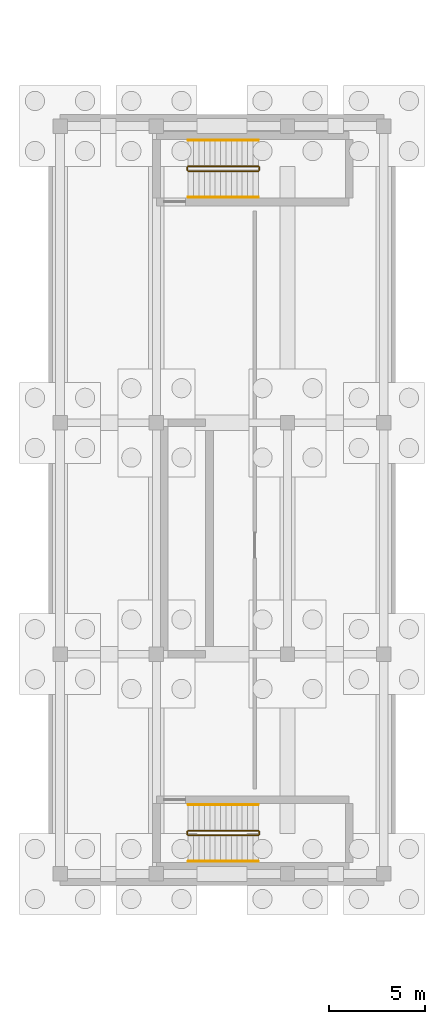
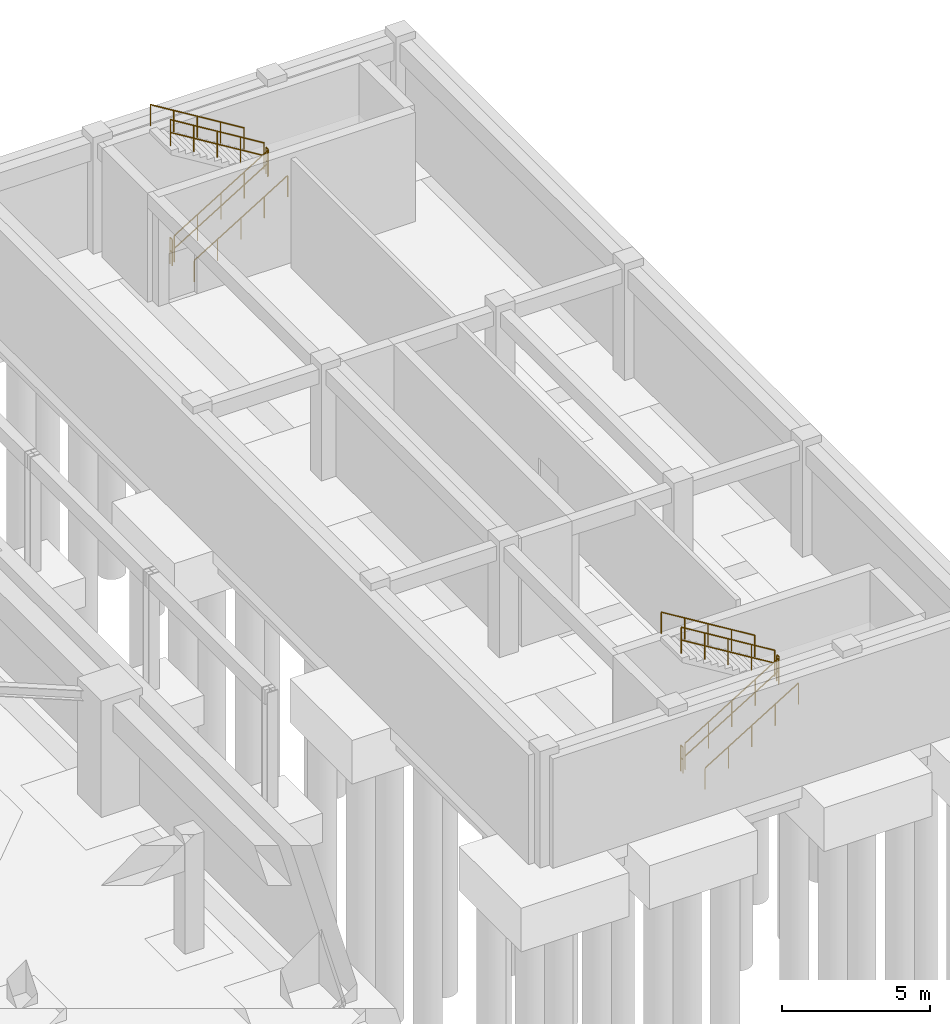
# One storey, part 10 of 11: 12 railings.
"""IFC4 building model written with IfcOpenShell, lengths in metres."""

from ifc_helpers import new_model, si_unit, direction, frame, origin, origin_2d, place, context, subcontext, project, spatial, circle, extrude, material, type_object, element, save


model = new_model("IFC4")

# Units and contexts
model_context = context("Model", 3, precision=1e-05, world=origin(), true_north=direction((0.0, 1.0)))
body_context = subcontext(model_context, "Body", "Model", "MODEL_VIEW")
ifc_project = project(units=[si_unit("LENGTHUNIT", "METRE"), si_unit("AREAUNIT", "SQUARE_METRE"), si_unit("VOLUMEUNIT", "CUBIC_METRE"), si_unit("PLANEANGLEUNIT", "RADIAN"), si_unit("MASSUNIT", "GRAM", prefix="KILO")], contexts=[model_context])

# Site, building, storey
site_placement = place(None, origin())
site = spatial("IfcSite", under=ifc_project, at=site_placement, CompositionType="ELEMENT")
building_placement = place(site_placement, origin())
building = spatial("IfcBuilding", under=site, at=building_placement, Name="Veraguas Prism Commons", CompositionType="ELEMENT")
storey_placement = place(building_placement, frame((0.0, 0.0, -10.0)))
storey = spatial("IfcBuildingStorey", under=building, at=storey_placement, Name="B2", CompositionType="ELEMENT", Elevation=-10.0)

# Railings
ifc_material = material(Name="Stainless steel AISI 316", Category="steel")
railing_type_1 = type_object("IfcRailingType", Name="Stair and Ramp Stainless Handrail 900", PredefinedType="HANDRAIL", material=ifc_material)
railing_1_placement = place(storey_placement, frame((64.25, 5.25, 0.17138671875)))
element("IfcRailing", 1, at=railing_1_placement, inside=storey, type_object=railing_type_1, Name="Stair Handrail ST-H1 B2-1", PredefinedType="HANDRAIL", context=body_context, shape_type="SweptSolid", body=[
    extrude(circle(Radius=0.02392578125, at=origin_2d()), frame((0.0, 0.0, 0.8759765625), z_axis=(0.852850264322, 0.0, 0.5221555579), x_axis=(0.0, 1.0, 0.0)), (0.0, 0.0, 1.0), 4.267822265625),
    extrude(circle(Radius=0.02099609375, at=origin_2d()), origin(), (0.0, 0.0, 1.0), 0.851806640625),
    extrude(circle(Radius=0.02099609375, at=origin_2d()), frame((0.909912109375, 0.0, 0.55712890625)), (0.0, 0.0, 1.0), 0.851806640625),
    extrude(circle(Radius=0.02099609375, at=origin_2d()), frame((1.81982421875, 0.0, 1.1142578125)), (0.0, 0.0, 1.0), 0.851806640625),
    extrude(circle(Radius=0.02099609375, at=origin_2d()), frame((2.72998046875, 0.0, 1.67138671875)), (0.0, 0.0, 1.0), 0.851806640625),
    extrude(circle(Radius=0.02099609375, at=origin_2d()), frame((3.639892578125, 0.0, 2.228515625)), (0.0, 0.0, 1.0), 0.851806640625),
])
railing_2_placement = place(storey_placement, frame((67.889892578125, 8.199951171875, 2.571533203125)))
element("IfcRailing", 2, at=railing_2_placement, inside=storey, type_object=railing_type_1, Name="Stair Handrail ST-H1 B2-2", PredefinedType="HANDRAIL", context=body_context, shape_type="SweptSolid", body=[
    extrude(circle(Radius=0.02392578125, at=origin_2d()), frame((0.0, 0.0, 0.8759765625), z_axis=(-0.852850264322, 0.0, 0.5221555579), x_axis=(0.0, -1.0, 0.0)), (0.0, 0.0, 1.0), 4.267822265625),
    extrude(circle(Radius=0.02099609375, at=origin_2d()), origin(), (0.0, 0.0, 1.0), 0.851806640625),
    extrude(circle(Radius=0.02099609375, at=origin_2d()), frame((-0.909912109375, 0.0, 0.55712890625)), (0.0, 0.0, 1.0), 0.851806640625),
    extrude(circle(Radius=0.02099609375, at=origin_2d()), frame((-1.81982421875, 0.0, 1.1142578125)), (0.0, 0.0, 1.0), 0.851806640625),
    extrude(circle(Radius=0.02099609375, at=origin_2d()), frame((-2.72998046875, 0.0, 1.67138671875)), (0.0, 0.0, 1.0), 0.851806640625),
    extrude(circle(Radius=0.02099609375, at=origin_2d()), frame((-3.639892578125, 0.0, 2.228515625)), (0.0, 0.0, 1.0), 0.851806640625),
])
railing_3_placement = place(storey_placement, frame((64.25, 39.7099609375, 0.17138671875)))
element("IfcRailing", 3, at=railing_3_placement, inside=storey, type_object=railing_type_1, Name="Stair Handrail ST-H2 B2-1", PredefinedType="HANDRAIL", context=body_context, shape_type="SweptSolid", body=[
    extrude(circle(Radius=0.02392578125, at=origin_2d()), frame((0.0, 0.0, 0.8759765625), z_axis=(0.852850264322, 0.0, 0.5221555579), x_axis=(0.0, 1.0, 0.0)), (0.0, 0.0, 1.0), 4.267822265625),
    extrude(circle(Radius=0.02099609375, at=origin_2d()), origin(), (0.0, 0.0, 1.0), 0.851806640625),
    extrude(circle(Radius=0.02099609375, at=origin_2d()), frame((0.909912109375, 0.0, 0.55712890625)), (0.0, 0.0, 1.0), 0.851806640625),
    extrude(circle(Radius=0.02099609375, at=origin_2d()), frame((1.81982421875, 0.0, 1.1142578125)), (0.0, 0.0, 1.0), 0.851806640625),
    extrude(circle(Radius=0.02099609375, at=origin_2d()), frame((2.72998046875, 0.0, 1.67138671875)), (0.0, 0.0, 1.0), 0.851806640625),
    extrude(circle(Radius=0.02099609375, at=origin_2d()), frame((3.639892578125, 0.0, 2.228515625)), (0.0, 0.0, 1.0), 0.851806640625),
])
railing_4_placement = place(storey_placement, frame((67.889892578125, 42.659912109375, 2.571533203125)))
element("IfcRailing", 4, at=railing_4_placement, inside=storey, type_object=railing_type_1, Name="Stair Handrail ST-H2 B2-2", PredefinedType="HANDRAIL", context=body_context, shape_type="SweptSolid", body=[
    extrude(circle(Radius=0.02392578125, at=origin_2d()), frame((0.0, 0.0, 0.8759765625), z_axis=(-0.852850264322, 0.0, 0.5221555579), x_axis=(0.0, -1.0, 0.0)), (0.0, 0.0, 1.0), 4.267822265625),
    extrude(circle(Radius=0.02099609375, at=origin_2d()), origin(), (0.0, 0.0, 1.0), 0.851806640625),
    extrude(circle(Radius=0.02099609375, at=origin_2d()), frame((-0.909912109375, 0.0, 0.55712890625)), (0.0, 0.0, 1.0), 0.851806640625),
    extrude(circle(Radius=0.02099609375, at=origin_2d()), frame((-1.81982421875, 0.0, 1.1142578125)), (0.0, 0.0, 1.0), 0.851806640625),
    extrude(circle(Radius=0.02099609375, at=origin_2d()), frame((-2.72998046875, 0.0, 1.67138671875)), (0.0, 0.0, 1.0), 0.851806640625),
    extrude(circle(Radius=0.02099609375, at=origin_2d()), frame((-3.639892578125, 0.0, 2.228515625)), (0.0, 0.0, 1.0), 0.851806640625),
])
railing_type_2 = type_object("IfcRailingType", Name="Stairwell Safety Guardrail 1100", PredefinedType="GUARDRAIL", material=ifc_material)
railing_5_placement = place(storey_placement, frame((64.25, 6.60009765625, 0.17138671875)))
element("IfcRailing", 5, at=railing_5_placement, inside=storey, type_object=railing_type_2, Name="Stair Guard ST-H1 B2-1", PredefinedType="GUARDRAIL", context=body_context, shape_type="SweptSolid", body=[
    extrude(circle(Radius=0.02392578125, at=origin_2d()), frame((0.0, 0.0, 1.076171875), z_axis=(0.852850264322, 0.0, 0.5221555579), x_axis=(0.0, 1.0, 0.0)), (0.0, 0.0, 1.0), 4.267822265625),
    extrude(circle(Radius=0.02392578125, at=origin_2d()), frame((0.0, 0.0, 0.550048828125), z_axis=(0.852850264322, 0.0, 0.5221555579), x_axis=(0.0, 1.0, 0.0)), (0.0, 0.0, 1.0), 4.267822265625),
    extrude(circle(Radius=0.02099609375, at=origin_2d()), origin(), (0.0, 0.0, 1.0), 1.052001953125),
    extrude(circle(Radius=0.02099609375, at=origin_2d()), frame((0.909912109375, 0.0, 0.55712890625)), (0.0, 0.0, 1.0), 1.052001953125),
    extrude(circle(Radius=0.02099609375, at=origin_2d()), frame((1.81982421875, 0.0, 1.1142578125)), (0.0, 0.0, 1.0), 1.052001953125),
    extrude(circle(Radius=0.02099609375, at=origin_2d()), frame((2.72998046875, 0.0, 1.67138671875)), (0.0, 0.0, 1.0), 1.052001953125),
    extrude(circle(Radius=0.02099609375, at=origin_2d()), frame((3.639892578125, 0.0, 2.228515625)), (0.0, 0.0, 1.0), 1.052001953125),
])
railing_6_placement = place(storey_placement, frame((67.93994140625, 6.64990234375, 2.39990234375)))
element("IfcRailing", 6, at=railing_6_placement, inside=storey, type_object=railing_type_2, Name="Stair Guard ST-H1 B2-2", PredefinedType="GUARDRAIL", context=body_context, shape_type="SweptSolid", body=[
    extrude(circle(Radius=0.02392578125, at=origin_2d()), frame((0.0, 0.0, 1.076171875), z_axis=(0.0, 1.0, 0.0), x_axis=(-1.0, 0.0, 0.0)), (0.0, 0.0, 1.0), 0.150146484375),
    extrude(circle(Radius=0.02392578125, at=origin_2d()), frame((0.0, 0.0, 0.550048828125), z_axis=(0.0, 1.0, 0.0), x_axis=(-1.0, 0.0, 0.0)), (0.0, 0.0, 1.0), 0.150146484375),
    extrude(circle(Radius=0.02099609375, at=origin_2d()), origin(), (0.0, 0.0, 1.0), 1.052001953125),
    extrude(circle(Radius=0.02099609375, at=origin_2d()), frame((0.0, 0.150146484375, 0.0)), (0.0, 0.0, 1.0), 1.052001953125),
])
railing_7_placement = place(storey_placement, frame((67.889892578125, 6.85009765625, 2.571533203125)))
element("IfcRailing", 7, at=railing_7_placement, inside=storey, type_object=railing_type_2, Name="Stair Guard ST-H1 B2-3", PredefinedType="GUARDRAIL", context=body_context, shape_type="SweptSolid", body=[
    extrude(circle(Radius=0.02392578125, at=origin_2d()), frame((0.0, 0.0, 1.076171875), z_axis=(-0.852850264322, 0.0, 0.5221555579), x_axis=(0.0, -1.0, 0.0)), (0.0, 0.0, 1.0), 4.267822265625),
    extrude(circle(Radius=0.02392578125, at=origin_2d()), frame((0.0, 0.0, 0.550048828125), z_axis=(-0.852850264322, 0.0, 0.5221555579), x_axis=(0.0, -1.0, 0.0)), (0.0, 0.0, 1.0), 4.267822265625),
    extrude(circle(Radius=0.02099609375, at=origin_2d()), origin(), (0.0, 0.0, 1.0), 1.052001953125),
    extrude(circle(Radius=0.02099609375, at=origin_2d()), frame((-0.909912109375, 0.0, 0.55712890625)), (0.0, 0.0, 1.0), 1.052001953125),
    extrude(circle(Radius=0.02099609375, at=origin_2d()), frame((-1.81982421875, 0.0, 1.1142578125)), (0.0, 0.0, 1.0), 1.052001953125),
    extrude(circle(Radius=0.02099609375, at=origin_2d()), frame((-2.72998046875, 0.0, 1.67138671875)), (0.0, 0.0, 1.0), 1.052001953125),
    extrude(circle(Radius=0.02099609375, at=origin_2d()), frame((-3.639892578125, 0.0, 2.228515625)), (0.0, 0.0, 1.0), 1.052001953125),
])
railing_8_placement = place(storey_placement, frame((64.199951171875, 6.64990234375, 0.0)))
element("IfcRailing", 8, at=railing_8_placement, inside=storey, type_object=railing_type_2, Name="Stair Guard ST-H1 B2-4", PredefinedType="GUARDRAIL", context=body_context, shape_type="SweptSolid", body=[
    extrude(circle(Radius=0.02392578125, at=origin_2d()), frame((0.0, 0.0, 1.076171875), z_axis=(0.0, 1.0, 0.0), x_axis=(-1.0, 0.0, 0.0)), (0.0, 0.0, 1.0), 0.150146484375),
    extrude(circle(Radius=0.02392578125, at=origin_2d()), frame((0.0, 0.0, 0.550048828125), z_axis=(0.0, 1.0, 0.0), x_axis=(-1.0, 0.0, 0.0)), (0.0, 0.0, 1.0), 0.150146484375),
    extrude(circle(Radius=0.02099609375, at=origin_2d()), origin(), (0.0, 0.0, 1.0), 1.052001953125),
    extrude(circle(Radius=0.02099609375, at=origin_2d()), frame((0.0, 0.150146484375, 0.0)), (0.0, 0.0, 1.0), 1.052001953125),
])
railing_9_placement = place(storey_placement, frame((64.25, 41.06005859375, 0.17138671875)))
element("IfcRailing", 9, at=railing_9_placement, inside=storey, type_object=railing_type_2, Name="Stair Guard ST-H2 B2-1", PredefinedType="GUARDRAIL", context=body_context, shape_type="SweptSolid", body=[
    extrude(circle(Radius=0.02392578125, at=origin_2d()), frame((0.0, 0.0, 1.076171875), z_axis=(0.852850264322, 0.0, 0.5221555579), x_axis=(0.0, 1.0, 0.0)), (0.0, 0.0, 1.0), 4.267822265625),
    extrude(circle(Radius=0.02392578125, at=origin_2d()), frame((0.0, 0.0, 0.550048828125), z_axis=(0.852850264322, 0.0, 0.5221555579), x_axis=(0.0, 1.0, 0.0)), (0.0, 0.0, 1.0), 4.267822265625),
    extrude(circle(Radius=0.02099609375, at=origin_2d()), origin(), (0.0, 0.0, 1.0), 1.052001953125),
    extrude(circle(Radius=0.02099609375, at=origin_2d()), frame((0.909912109375, 0.0, 0.55712890625)), (0.0, 0.0, 1.0), 1.052001953125),
    extrude(circle(Radius=0.02099609375, at=origin_2d()), frame((1.81982421875, 0.0, 1.1142578125)), (0.0, 0.0, 1.0), 1.052001953125),
    extrude(circle(Radius=0.02099609375, at=origin_2d()), frame((2.72998046875, 0.0, 1.67138671875)), (0.0, 0.0, 1.0), 1.052001953125),
    extrude(circle(Radius=0.02099609375, at=origin_2d()), frame((3.639892578125, 0.0, 2.228515625)), (0.0, 0.0, 1.0), 1.052001953125),
])
railing_10_placement = place(storey_placement, frame((67.93994140625, 41.110107421875, 2.39990234375)))
element("IfcRailing", 10, at=railing_10_placement, inside=storey, type_object=railing_type_2, Name="Stair Guard ST-H2 B2-2", PredefinedType="GUARDRAIL", context=body_context, shape_type="SweptSolid", body=[
    extrude(circle(Radius=0.02392578125, at=origin_2d()), frame((0.0, 0.0, 1.076171875), z_axis=(0.0, 1.0, 0.0), x_axis=(-1.0, 0.0, 0.0)), (0.0, 0.0, 1.0), 0.14990234375),
    extrude(circle(Radius=0.02392578125, at=origin_2d()), frame((0.0, 0.0, 0.550048828125), z_axis=(0.0, 1.0, 0.0), x_axis=(-1.0, 0.0, 0.0)), (0.0, 0.0, 1.0), 0.14990234375),
    extrude(circle(Radius=0.02099609375, at=origin_2d()), origin(), (0.0, 0.0, 1.0), 1.052001953125),
    extrude(circle(Radius=0.02099609375, at=origin_2d()), frame((0.0, 0.14990234375, 0.0)), (0.0, 0.0, 1.0), 1.052001953125),
])
railing_11_placement = place(storey_placement, frame((67.889892578125, 41.31005859375, 2.571533203125)))
element("IfcRailing", 11, at=railing_11_placement, inside=storey, type_object=railing_type_2, Name="Stair Guard ST-H2 B2-3", PredefinedType="GUARDRAIL", context=body_context, shape_type="SweptSolid", body=[
    extrude(circle(Radius=0.02392578125, at=origin_2d()), frame((0.0, 0.0, 1.076171875), z_axis=(-0.852850264322, 0.0, 0.5221555579), x_axis=(0.0, -1.0, 0.0)), (0.0, 0.0, 1.0), 4.267822265625),
    extrude(circle(Radius=0.02392578125, at=origin_2d()), frame((0.0, 0.0, 0.550048828125), z_axis=(-0.852850264322, 0.0, 0.5221555579), x_axis=(0.0, -1.0, 0.0)), (0.0, 0.0, 1.0), 4.267822265625),
    extrude(circle(Radius=0.02099609375, at=origin_2d()), origin(), (0.0, 0.0, 1.0), 1.052001953125),
    extrude(circle(Radius=0.02099609375, at=origin_2d()), frame((-0.909912109375, 0.0, 0.55712890625)), (0.0, 0.0, 1.0), 1.052001953125),
    extrude(circle(Radius=0.02099609375, at=origin_2d()), frame((-1.81982421875, 0.0, 1.1142578125)), (0.0, 0.0, 1.0), 1.052001953125),
    extrude(circle(Radius=0.02099609375, at=origin_2d()), frame((-2.72998046875, 0.0, 1.67138671875)), (0.0, 0.0, 1.0), 1.052001953125),
    extrude(circle(Radius=0.02099609375, at=origin_2d()), frame((-3.639892578125, 0.0, 2.228515625)), (0.0, 0.0, 1.0), 1.052001953125),
])
railing_12_placement = place(storey_placement, frame((64.199951171875, 41.110107421875, 0.0)))
element("IfcRailing", 12, at=railing_12_placement, inside=storey, type_object=railing_type_2, Name="Stair Guard ST-H2 B2-4", PredefinedType="GUARDRAIL", context=body_context, shape_type="SweptSolid", body=[
    extrude(circle(Radius=0.02392578125, at=origin_2d()), frame((0.0, 0.0, 1.076171875), z_axis=(0.0, 1.0, 0.0), x_axis=(-1.0, 0.0, 0.0)), (0.0, 0.0, 1.0), 0.14990234375),
    extrude(circle(Radius=0.02392578125, at=origin_2d()), frame((0.0, 0.0, 0.550048828125), z_axis=(0.0, 1.0, 0.0), x_axis=(-1.0, 0.0, 0.0)), (0.0, 0.0, 1.0), 0.14990234375),
    extrude(circle(Radius=0.02099609375, at=origin_2d()), origin(), (0.0, 0.0, 1.0), 1.052001953125),
    extrude(circle(Radius=0.02099609375, at=origin_2d()), frame((0.0, 0.14990234375, 0.0)), (0.0, 0.0, 1.0), 1.052001953125),
])

save(model, "model.ifc")
